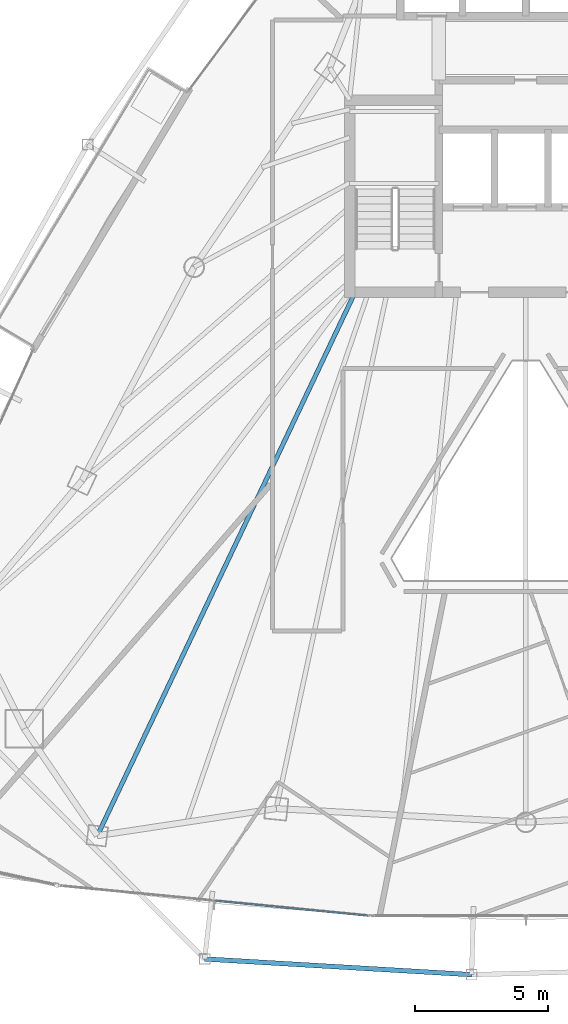
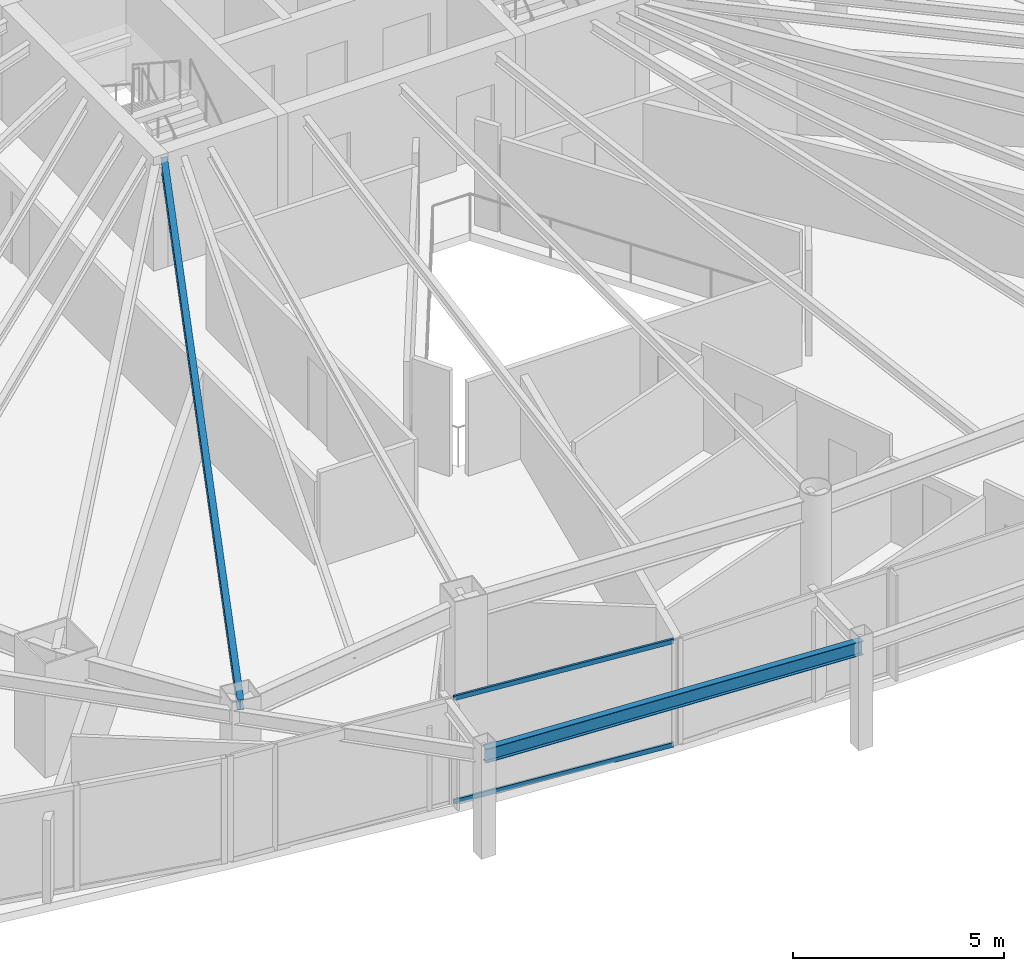
# One storey, part 6 of 30: 2 beams, 2 members, 1 element without a shape of its own.
"""IFC4 building model written with IfcOpenShell, lengths in metres."""

from ifc_helpers import new_model, si_unit, direction, frame, origin, origin_2d, place, context, subcontext, project, spatial, hollow_rectangle, i_section, extrude, material, layer, layer_set, material_profile, profile_set, type_object, element, aggregate, save


model = new_model("IFC4")

# Units and contexts
model_context = context("Model", 3, precision=1e-05, world=origin(), true_north=direction((0.0, 1.0)))
body_context = subcontext(model_context, "Body", "Model", "MODEL_VIEW")
ifc_project = project(units=[si_unit("LENGTHUNIT", "METRE"), si_unit("AREAUNIT", "SQUARE_METRE"), si_unit("VOLUMEUNIT", "CUBIC_METRE"), si_unit("PLANEANGLEUNIT", "RADIAN"), si_unit("MASSUNIT", "GRAM", prefix="KILO")], contexts=[model_context])

# Site, building, storey
site_placement = place(None, origin())
site = spatial("IfcSite", under=ifc_project, at=site_placement, CompositionType="ELEMENT")
building_placement = place(site_placement, origin())
building = spatial("IfcBuilding", under=site, at=building_placement, Name="Orvanel Arch Residences", CompositionType="ELEMENT")
storey_placement = place(building_placement, frame((0.0, 0.0, 136.39990234375)))
storey = spatial("IfcBuildingStorey", under=building, at=storey_placement, Name="L38", CompositionType="ELEMENT", Elevation=136.39990234375)

# Beams
ifc_material_1 = material(Name="Structural steel AS/NZS 3679.1 Grade 300 (300 MPa)", Category="steel")
ifc_material_profile_1 = material_profile(ifc_material_1, i_section(OverallWidth=0.1650390625, OverallDepth=0.303955078125, WebThickness=0.006103515625, FlangeThickness=0.01025390625, at=origin_2d()), Name="310UB40.4")
ifc_profile_set_1 = profile_set([ifc_material_profile_1], Name="Structural steel AS/NZS 3679.1 Grade 300 (300 MPa)")
beam_type_1 = type_object("IfcBeamType", Name="BJ-310UB", PredefinedType="JOIST", material=ifc_profile_set_1)
beam_1_placement = place(storey_placement, frame((26.60009765625, 26.699951171875, 2.908203125), z_axis=(-0.428614365266, -0.903487534993, 0.0), x_axis=(0.903487534993, -0.428614365266, 0.0)))
element("IfcBeam", 1, at=beam_1_placement, inside=storey, type_object=beam_type_1, Name="L38 MSW Wing Floor Joist", PredefinedType="JOIST", context=body_context, shape_type="SweptSolid", body=[
    extrude(i_section(OverallWidth=0.1650390625, OverallDepth=0.303955078125, WebThickness=0.006103515625, FlangeThickness=0.01025390625, at=origin_2d()), origin(), (0.0, 0.0, 1.0), 22.535888671875),
])
ifc_material_profile_2 = material_profile(ifc_material_1, i_section(OverallWidth=0.177978515625, OverallDepth=0.406005859375, WebThickness=0.0078125, FlangeThickness=0.0126953125, at=origin_2d()), Name="410UB59.7")
ifc_profile_set_2 = profile_set([ifc_material_profile_2], Name="Structural steel AS/NZS 3679.1 Grade 300 (300 MPa)")
beam_type_2 = type_object("IfcBeamType", Name="OB-410UB-EXT", PredefinedType="SPANDREL", material=ifc_profile_set_2)
beam_2_placement = place(storey_placement, frame((20.964111328125, 1.719970703125, 2.857177734375), z_axis=(0.998277396455, -0.058670603599, 0.0), x_axis=(0.058670603599, 0.998277396455, 0.0)))
element("IfcBeam", 2, at=beam_2_placement, inside=storey, type_object=beam_type_2, Name="L38 Outer Perimeter Floor Ring Beam 05", PredefinedType="SPANDREL", context=body_context, shape_type="SweptSolid", body=[
    extrude(i_section(OverallWidth=0.177978515625, OverallDepth=0.406005859375, WebThickness=0.0078125, FlangeThickness=0.0126953125, at=origin_2d()), origin(), (0.0, 0.0, 1.0), 10.020263671875),
])

# Curtain wall, members
ifc_material_2 = material(Name="Bronze-anodised aluminium AA6063-T6", Category="aluminium")
ifc_layer = layer(ifc_material_2, 0.179931640625)
ifc_layer_set = layer_set([ifc_layer], Name="Bronze-anodised aluminium AA6063-T6")
curtain_wall_type = type_object("IfcCurtainWallType", Name="CW3-MID-SYS", PredefinedType="NOTDEFINED", material=ifc_layer_set)
curtain_wall_placement = place(storey_placement, origin())
curtain_wall = element("IfcCurtainWall", 3, at=curtain_wall_placement, inside=storey, type_object=curtain_wall_type, Name="L38 CW3-MID-SYS Unitised Curtain Wall", PredefinedType="NOTDEFINED")
ifc_material_profile_3 = material_profile(ifc_material_2, hollow_rectangle(XDim=0.06005859375, YDim=0.135009765625, WallThickness=0.00390625, at=origin_2d()), Name="ALU135x60x4")
ifc_profile_set_3 = profile_set([ifc_material_profile_3], Name="Bronze-anodised aluminium AA6063-T6")
member_type = type_object("IfcMemberType", Name="TRN-135x60", PredefinedType="USERDEFINED", material=ifc_profile_set_3)
member_1_placement = place(storey_placement, frame((21.372802734375, 3.899658203125, 0.030029296875), z_axis=(0.995321391239, -0.096619501871, 0.0), x_axis=(0.096619501871, 0.995321391239, 0.0)))
member_1 = element("IfcMember", 4, at=member_1_placement, type_object=member_type, Name="CW-S3 transom 2.1", ObjectType="TRANSOM", PredefinedType="USERDEFINED", context=body_context, shape_type="SweptSolid", body=[
    extrude(hollow_rectangle(XDim=0.06005859375, YDim=0.135009765625, WallThickness=0.00390625, at=origin_2d()), origin(), (0.0, 0.0, 1.0), 5.7333984375),
])
member_2_placement = place(storey_placement, frame((21.372802734375, 3.899658203125, 3.030029296875), z_axis=(0.995321391239, -0.096619501871, 0.0), x_axis=(0.096619501871, 0.995321391239, 0.0)))
member_2 = element("IfcMember", 5, at=member_2_placement, type_object=member_type, Name="CW-S3 transom 2.2", ObjectType="TRANSOM", PredefinedType="USERDEFINED", context=body_context, shape_type="SweptSolid", body=[
    extrude(hollow_rectangle(XDim=0.06005859375, YDim=0.135009765625, WallThickness=0.00390625, at=origin_2d()), origin(), (0.0, 0.0, 1.0), 5.7333984375),
])
aggregate(curtain_wall, [member_1, member_2])

save(model, "model.ifc")
